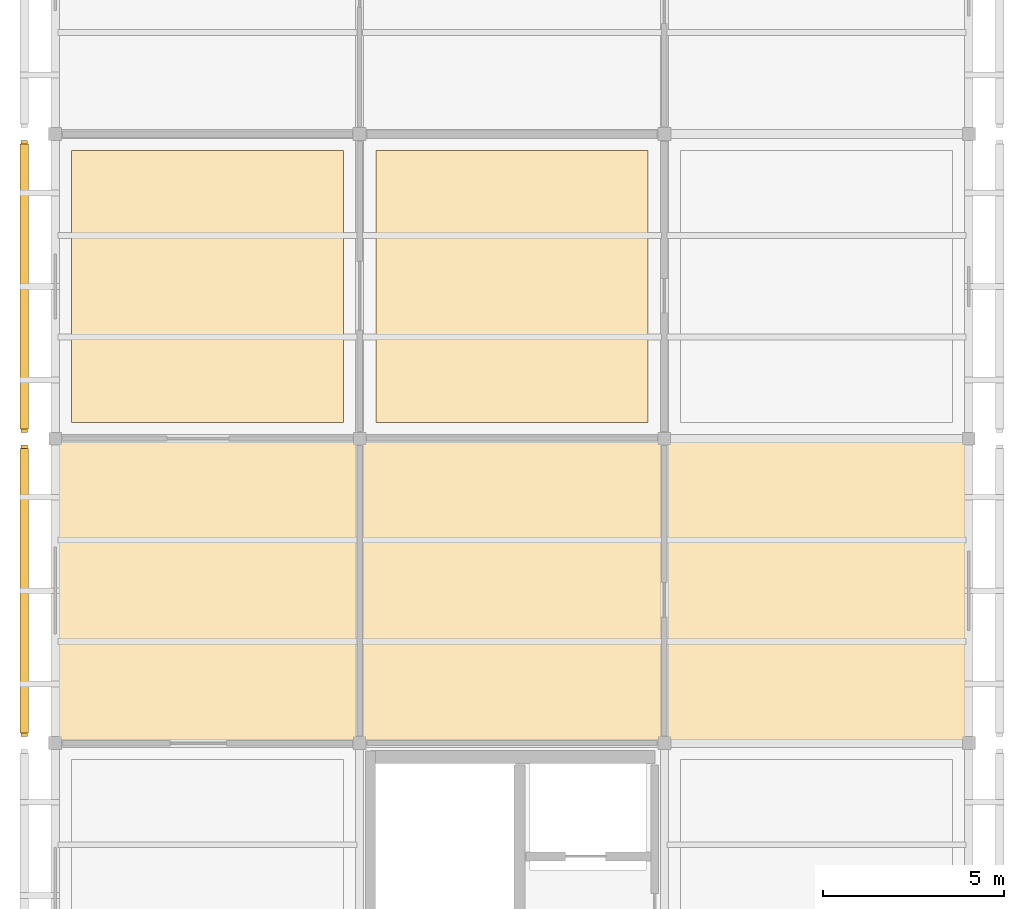
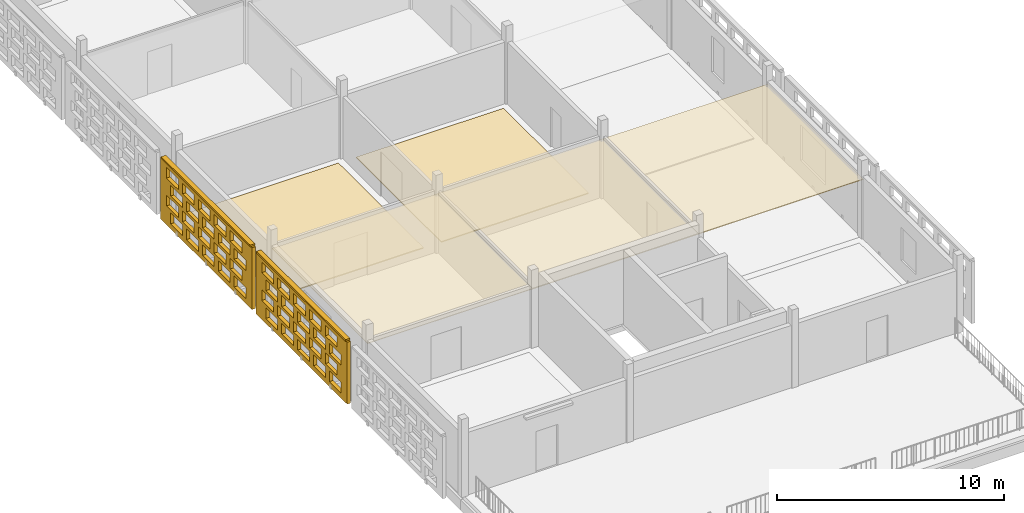
# One storey, part 7 of 13: 7 coverings, 2 shading devices, 40 openings.
"""IFC4 building model written with IfcOpenShell, lengths in metres."""

from ifc_helpers import new_model, si_unit, direction, frame, frame_2d, origin, origin_2d, place, context, subcontext, project, spatial, rectangle, extrude, material, layer, layer_set, type_object, element, save


model = new_model("IFC4")

# Units and contexts
model_context = context("Model", 3, precision=1e-05, world=origin(), true_north=direction((0.0, 1.0)))
body_context = subcontext(model_context, "Body", "Model", "MODEL_VIEW")
ifc_project = project(units=[si_unit("LENGTHUNIT", "METRE"), si_unit("AREAUNIT", "SQUARE_METRE"), si_unit("VOLUMEUNIT", "CUBIC_METRE"), si_unit("PLANEANGLEUNIT", "RADIAN"), si_unit("MASSUNIT", "GRAM", prefix="KILO")], contexts=[model_context])

# Site, building, storey
site_placement = place(None, origin())
site = spatial("IfcSite", under=ifc_project, at=site_placement, CompositionType="ELEMENT")
building_placement = place(site_placement, origin())
building = spatial("IfcBuilding", under=site, at=building_placement, Name="Varnapada Polytechnic", CompositionType="ELEMENT")
storey_placement = place(building_placement, frame((0.0, 0.0, 26.39990234375)))
storey = spatial("IfcBuildingStorey", under=building, at=storey_placement, Name="L06", CompositionType="ELEMENT", Elevation=26.39990234375)

# Coverings
ifc_material_1 = material(Name="End-Grain Timber Studio Block Flooring", Category="wood")
ifc_layer_1 = layer(ifc_material_1, 0.054931640625)
ifc_layer_set_1 = layer_set([ifc_layer_1], Name="End-Grain Timber Studio Block Flooring")
covering_type_1 = type_object("IfcCoveringType", Name="Floor Finish FLR-04", PredefinedType="FLOORING", material=ifc_layer_set_1)
for number, where, z_axis, x_axis, name in (
    (1, (4.199951171875, 79.800048828125, 0.0), (0.0, 0.0, 1.0), (1.0, 0.0, 0.0), "L06 floor finish panel (1,10)"),
    (2, (12.60009765625, 79.800048828125, 0.0), (0.0, 0.0, 1.0), (1.0, 0.0, 0.0), "L06 floor finish panel (2,10)"),
):
    element("IfcCovering", number, at=place(storey_placement, frame(where, z_axis=z_axis, x_axis=x_axis)), inside=storey, type_object=covering_type_1, Name=name, PredefinedType="FLOORING", context=body_context, shape_type="SweptSolid", body=[
        extrude(rectangle(XDim=7.5, YDim=7.5, at=origin_2d()), origin(), (0.0, 0.0, 1.0), 0.054931640625),
    ])
ifc_material_2 = material(Name="Mineral Fibre Acoustic Ceiling Tile")
ifc_layer_2 = layer(ifc_material_2, 0.0400390625)
ifc_layer_set_2 = layer_set([ifc_layer_2], Name="Mineral Fibre Acoustic Ceiling Tile")
covering_type_2 = type_object("IfcCoveringType", Name="Suspended Ceiling CLG-01", PredefinedType="CEILING", material=ifc_layer_set_2)
covering_1_placement = place(storey_placement, frame((21.0, 71.39990234375, 3.030029296875), z_axis=(0.0, 0.0, 1.0), x_axis=(1.0, 0.0, 0.0)))
element("IfcCovering", 3, at=covering_1_placement, inside=storey, type_object=covering_type_2, Name="L06 suspended acoustic ceiling (3,9)", PredefinedType="CEILING", context=body_context, shape_type="SweptSolid", body=[
    extrude(rectangle(XDim=8.419921875, YDim=8.419921875, at=origin_2d()), origin(), (0.0, 0.0, 1.0), 0.0400390625),
])
ifc_material_3 = material(Name="Perforated Timber Slatted Baffle Ceiling", Category="wood")
ifc_layer_3 = layer(ifc_material_3, 0.050048828125)
ifc_layer_set_3 = layer_set([ifc_layer_3], Name="Perforated Timber Slatted Baffle Ceiling")
covering_type_3 = type_object("IfcCoveringType", Name="Suspended Ceiling CLG-02", PredefinedType="CEILING", material=ifc_layer_set_3)
covering_2_placement = place(storey_placement, frame((12.60009765625, 71.39990234375, 3.02490234375), z_axis=(0.0, 0.0, 1.0), x_axis=(1.0, 0.0, 0.0)))
element("IfcCovering", 4, at=covering_2_placement, inside=storey, type_object=covering_type_3, Name="L06 suspended acoustic ceiling (2,9)", PredefinedType="CEILING", context=body_context, shape_type="SweptSolid", body=[
    extrude(rectangle(XDim=8.419921875, YDim=8.419921875, at=origin_2d()), origin(), (0.0, 0.0, 1.0), 0.050048828125),
])
ifc_material_4 = material(Name="Moisture-Resistant Aluminum Baffle Ceiling", Category="aluminium")
ifc_layer_4 = layer(ifc_material_4, 0.030029296875)
ifc_layer_set_4 = layer_set([ifc_layer_4], Name="Moisture-Resistant Aluminum Baffle Ceiling")
covering_type_4 = type_object("IfcCoveringType", Name="Suspended Ceiling CLG-03", PredefinedType="CEILING", material=ifc_layer_set_4)
covering_3_placement = place(storey_placement, frame((4.199951171875, 71.39990234375, 3.03515625), z_axis=(0.0, 0.0, 1.0), x_axis=(1.0, 0.0, 0.0)))
element("IfcCovering", 5, at=covering_3_placement, inside=storey, type_object=covering_type_4, Name="L06 suspended acoustic ceiling (1,9)", PredefinedType="CEILING", context=body_context, shape_type="SweptSolid", body=[
    extrude(rectangle(XDim=8.419921875, YDim=8.419921875, at=origin_2d()), origin(), (0.0, 0.0, 1.0), 0.030029296875),
])

# Covering, openings
ifc_material_5 = material(Name="Earth-toned architectural terracotta screen block", Category="masonry")
ifc_layer_5 = layer(ifc_material_5, 0.1201171875)
ifc_layer_set_5 = layer_set([ifc_layer_5], Name="Earth-toned architectural terracotta screen block")
covering_type_5 = type_object("IfcCoveringType", Name="Terracotta Screen Cladding CLD-01", PredefinedType="CLADDING", material=ifc_layer_set_5)
covering_4_placement = place(storey_placement, frame((-0.85009765625, 67.3798828125, 0.0), z_axis=(0.0, 0.0, 1.0), x_axis=(0.0, 1.0, 0.0)))
covering_4 = element("IfcCovering", 6, at=covering_4_placement, inside=storey, type_object=covering_type_5, Name="L06 perforated terracotta block screen (3)", PredefinedType="CLADDING", context=body_context, shape_type="SweptSolid", body=[
    extrude(rectangle(XDim=8.050048828125, YDim=0.179931640625, at=frame_2d((4.02490234375, 0.0))), origin(), (0.0, 0.0, 1.0), 3.320068359375),
])
opening_1_placement = place(covering_4_placement, frame((0.52490234375, 0.0, 0.265625)))
element("IfcOpeningElement", 7, at=opening_1_placement, cuts=covering_4, Name="Screen perforation TBS-L06-002.1", PredefinedType="OPENING", context=body_context, shape_type="SweptSolid", body=[
    extrude(rectangle(XDim=1.0400390625, YDim=0.5810546875, at=frame_2d((0.52001953125, 0.29052734375))), frame((0.0, 0.099853515625, 0.0), z_axis=(0.0, -1.0, 0.0), x_axis=(1.0, 0.0, 0.0)), (0.0, 0.0, 1.0), 0.199951171875),
])
opening_2_placement = place(covering_4_placement, frame((1.925048828125, 0.0, 0.265625)))
element("IfcOpeningElement", 8, at=opening_2_placement, cuts=covering_4, Name="Screen perforation TBS-L06-002.2", PredefinedType="OPENING", context=body_context, shape_type="SweptSolid", body=[
    extrude(rectangle(XDim=1.0400390625, YDim=0.5810546875, at=frame_2d((0.52001953125, 0.29052734375))), frame((0.0, 0.099853515625, 0.0), z_axis=(0.0, -1.0, 0.0), x_axis=(1.0, 0.0, 0.0)), (0.0, 0.0, 1.0), 0.199951171875),
])
opening_3_placement = place(covering_4_placement, frame((3.324951171875, 0.0, 0.265625)))
element("IfcOpeningElement", 9, at=opening_3_placement, cuts=covering_4, Name="Screen perforation TBS-L06-002.3", PredefinedType="OPENING", context=body_context, shape_type="SweptSolid", body=[
    extrude(rectangle(XDim=1.0400390625, YDim=0.5810546875, at=frame_2d((0.52001953125, 0.29052734375))), frame((0.0, 0.099853515625, 0.0), z_axis=(0.0, -1.0, 0.0), x_axis=(1.0, 0.0, 0.0)), (0.0, 0.0, 1.0), 0.199951171875),
])
opening_4_placement = place(covering_4_placement, frame((4.72509765625, 0.0, 0.265625)))
element("IfcOpeningElement", 10, at=opening_4_placement, cuts=covering_4, Name="Screen perforation TBS-L06-002.4", PredefinedType="OPENING", context=body_context, shape_type="SweptSolid", body=[
    extrude(rectangle(XDim=1.0400390625, YDim=0.5810546875, at=frame_2d((0.52001953125, 0.29052734375))), frame((0.0, 0.099853515625, 0.0), z_axis=(0.0, -1.0, 0.0), x_axis=(1.0, 0.0, 0.0)), (0.0, 0.0, 1.0), 0.199951171875),
])
opening_5_placement = place(covering_4_placement, frame((6.125, 0.0, 0.265625)))
element("IfcOpeningElement", 11, at=opening_5_placement, cuts=covering_4, Name="Screen perforation TBS-L06-002.5", PredefinedType="OPENING", context=body_context, shape_type="SweptSolid", body=[
    extrude(rectangle(XDim=1.0400390625, YDim=0.5810546875, at=frame_2d((0.52001953125, 0.29052734375))), frame((0.0, 0.099853515625, 0.0), z_axis=(0.0, -1.0, 0.0), x_axis=(1.0, 0.0, 0.0)), (0.0, 0.0, 1.0), 0.199951171875),
])
opening_6_placement = place(covering_4_placement, frame((0.885009765625, 0.0, 1.0126953125)))
element("IfcOpeningElement", 12, at=opening_6_placement, cuts=covering_4, Name="Screen perforation TBS-L06-002.6", PredefinedType="OPENING", context=body_context, shape_type="SweptSolid", body=[
    extrude(rectangle(XDim=1.0400390625, YDim=0.5810546875, at=frame_2d((0.52001953125, 0.29052734375))), frame((0.0, 0.099853515625, 0.0), z_axis=(0.0, -1.0, 0.0), x_axis=(1.0, 0.0, 0.0)), (0.0, 0.0, 1.0), 0.199951171875),
])
opening_7_placement = place(covering_4_placement, frame((2.284912109375, 0.0, 1.0126953125)))
element("IfcOpeningElement", 13, at=opening_7_placement, cuts=covering_4, Name="Screen perforation TBS-L06-002.7", PredefinedType="OPENING", context=body_context, shape_type="SweptSolid", body=[
    extrude(rectangle(XDim=1.0400390625, YDim=0.5810546875, at=frame_2d((0.52001953125, 0.29052734375))), frame((0.0, 0.099853515625, 0.0), z_axis=(0.0, -1.0, 0.0), x_axis=(1.0, 0.0, 0.0)), (0.0, 0.0, 1.0), 0.199951171875),
])
opening_8_placement = place(covering_4_placement, frame((3.68505859375, 0.0, 1.0126953125)))
element("IfcOpeningElement", 14, at=opening_8_placement, cuts=covering_4, Name="Screen perforation TBS-L06-002.8", PredefinedType="OPENING", context=body_context, shape_type="SweptSolid", body=[
    extrude(rectangle(XDim=1.0400390625, YDim=0.5810546875, at=frame_2d((0.52001953125, 0.29052734375))), frame((0.0, 0.099853515625, 0.0), z_axis=(0.0, -1.0, 0.0), x_axis=(1.0, 0.0, 0.0)), (0.0, 0.0, 1.0), 0.199951171875),
])
opening_9_placement = place(covering_4_placement, frame((5.0849609375, 0.0, 1.0126953125)))
element("IfcOpeningElement", 15, at=opening_9_placement, cuts=covering_4, Name="Screen perforation TBS-L06-002.9", PredefinedType="OPENING", context=body_context, shape_type="SweptSolid", body=[
    extrude(rectangle(XDim=1.0400390625, YDim=0.5810546875, at=frame_2d((0.52001953125, 0.29052734375))), frame((0.0, 0.099853515625, 0.0), z_axis=(0.0, -1.0, 0.0), x_axis=(1.0, 0.0, 0.0)), (0.0, 0.0, 1.0), 0.199951171875),
])
opening_10_placement = place(covering_4_placement, frame((6.485107421875, 0.0, 1.0126953125)))
element("IfcOpeningElement", 16, at=opening_10_placement, cuts=covering_4, Name="Screen perforation TBS-L06-002.10", PredefinedType="OPENING", context=body_context, shape_type="SweptSolid", body=[
    extrude(rectangle(XDim=1.0400390625, YDim=0.5810546875, at=frame_2d((0.52001953125, 0.29052734375))), frame((0.0, 0.099853515625, 0.0), z_axis=(0.0, -1.0, 0.0), x_axis=(1.0, 0.0, 0.0)), (0.0, 0.0, 1.0), 0.199951171875),
])
opening_11_placement = place(covering_4_placement, frame((0.52490234375, 0.0, 1.759521484375)))
element("IfcOpeningElement", 17, at=opening_11_placement, cuts=covering_4, Name="Screen perforation TBS-L06-002.11", PredefinedType="OPENING", context=body_context, shape_type="SweptSolid", body=[
    extrude(rectangle(XDim=1.0400390625, YDim=0.5810546875, at=frame_2d((0.52001953125, 0.29052734375))), frame((0.0, 0.099853515625, 0.0), z_axis=(0.0, -1.0, 0.0), x_axis=(1.0, 0.0, 0.0)), (0.0, 0.0, 1.0), 0.199951171875),
])
opening_12_placement = place(covering_4_placement, frame((1.925048828125, 0.0, 1.759521484375)))
element("IfcOpeningElement", 18, at=opening_12_placement, cuts=covering_4, Name="Screen perforation TBS-L06-002.12", PredefinedType="OPENING", context=body_context, shape_type="SweptSolid", body=[
    extrude(rectangle(XDim=1.0400390625, YDim=0.5810546875, at=frame_2d((0.52001953125, 0.29052734375))), frame((0.0, 0.099853515625, 0.0), z_axis=(0.0, -1.0, 0.0), x_axis=(1.0, 0.0, 0.0)), (0.0, 0.0, 1.0), 0.199951171875),
])
opening_13_placement = place(covering_4_placement, frame((3.324951171875, 0.0, 1.759521484375)))
element("IfcOpeningElement", 19, at=opening_13_placement, cuts=covering_4, Name="Screen perforation TBS-L06-002.13", PredefinedType="OPENING", context=body_context, shape_type="SweptSolid", body=[
    extrude(rectangle(XDim=1.0400390625, YDim=0.5810546875, at=frame_2d((0.52001953125, 0.29052734375))), frame((0.0, 0.099853515625, 0.0), z_axis=(0.0, -1.0, 0.0), x_axis=(1.0, 0.0, 0.0)), (0.0, 0.0, 1.0), 0.199951171875),
])
opening_14_placement = place(covering_4_placement, frame((4.72509765625, 0.0, 1.759521484375)))
element("IfcOpeningElement", 20, at=opening_14_placement, cuts=covering_4, Name="Screen perforation TBS-L06-002.14", PredefinedType="OPENING", context=body_context, shape_type="SweptSolid", body=[
    extrude(rectangle(XDim=1.0400390625, YDim=0.5810546875, at=frame_2d((0.52001953125, 0.29052734375))), frame((0.0, 0.099853515625, 0.0), z_axis=(0.0, -1.0, 0.0), x_axis=(1.0, 0.0, 0.0)), (0.0, 0.0, 1.0), 0.199951171875),
])
opening_15_placement = place(covering_4_placement, frame((6.125, 0.0, 1.759521484375)))
element("IfcOpeningElement", 21, at=opening_15_placement, cuts=covering_4, Name="Screen perforation TBS-L06-002.15", PredefinedType="OPENING", context=body_context, shape_type="SweptSolid", body=[
    extrude(rectangle(XDim=1.0400390625, YDim=0.5810546875, at=frame_2d((0.52001953125, 0.29052734375))), frame((0.0, 0.099853515625, 0.0), z_axis=(0.0, -1.0, 0.0), x_axis=(1.0, 0.0, 0.0)), (0.0, 0.0, 1.0), 0.199951171875),
])
opening_16_placement = place(covering_4_placement, frame((0.885009765625, 0.0, 2.506591796875)))
element("IfcOpeningElement", 22, at=opening_16_placement, cuts=covering_4, Name="Screen perforation TBS-L06-002.16", PredefinedType="OPENING", context=body_context, shape_type="SweptSolid", body=[
    extrude(rectangle(XDim=1.0400390625, YDim=0.5810546875, at=frame_2d((0.52001953125, 0.29052734375))), frame((0.0, 0.099853515625, 0.0), z_axis=(0.0, -1.0, 0.0), x_axis=(1.0, 0.0, 0.0)), (0.0, 0.0, 1.0), 0.199951171875),
])
opening_17_placement = place(covering_4_placement, frame((2.284912109375, 0.0, 2.506591796875)))
element("IfcOpeningElement", 23, at=opening_17_placement, cuts=covering_4, Name="Screen perforation TBS-L06-002.17", PredefinedType="OPENING", context=body_context, shape_type="SweptSolid", body=[
    extrude(rectangle(XDim=1.0400390625, YDim=0.5810546875, at=frame_2d((0.52001953125, 0.29052734375))), frame((0.0, 0.099853515625, 0.0), z_axis=(0.0, -1.0, 0.0), x_axis=(1.0, 0.0, 0.0)), (0.0, 0.0, 1.0), 0.199951171875),
])
opening_18_placement = place(covering_4_placement, frame((3.68505859375, 0.0, 2.506591796875)))
element("IfcOpeningElement", 24, at=opening_18_placement, cuts=covering_4, Name="Screen perforation TBS-L06-002.18", PredefinedType="OPENING", context=body_context, shape_type="SweptSolid", body=[
    extrude(rectangle(XDim=1.0400390625, YDim=0.5810546875, at=frame_2d((0.52001953125, 0.29052734375))), frame((0.0, 0.099853515625, 0.0), z_axis=(0.0, -1.0, 0.0), x_axis=(1.0, 0.0, 0.0)), (0.0, 0.0, 1.0), 0.199951171875),
])
opening_19_placement = place(covering_4_placement, frame((5.0849609375, 0.0, 2.506591796875)))
element("IfcOpeningElement", 25, at=opening_19_placement, cuts=covering_4, Name="Screen perforation TBS-L06-002.19", PredefinedType="OPENING", context=body_context, shape_type="SweptSolid", body=[
    extrude(rectangle(XDim=1.0400390625, YDim=0.5810546875, at=frame_2d((0.52001953125, 0.29052734375))), frame((0.0, 0.099853515625, 0.0), z_axis=(0.0, -1.0, 0.0), x_axis=(1.0, 0.0, 0.0)), (0.0, 0.0, 1.0), 0.199951171875),
])
opening_20_placement = place(covering_4_placement, frame((6.485107421875, 0.0, 2.506591796875)))
element("IfcOpeningElement", 26, at=opening_20_placement, cuts=covering_4, Name="Screen perforation TBS-L06-002.20", PredefinedType="OPENING", context=body_context, shape_type="SweptSolid", body=[
    extrude(rectangle(XDim=1.0400390625, YDim=0.5810546875, at=frame_2d((0.52001953125, 0.29052734375))), frame((0.0, 0.099853515625, 0.0), z_axis=(0.0, -1.0, 0.0), x_axis=(1.0, 0.0, 0.0)), (0.0, 0.0, 1.0), 0.199951171875),
])

covering_5_placement = place(storey_placement, frame((-0.85009765625, 75.77001953125, 0.0), z_axis=(0.0, 0.0, 1.0), x_axis=(0.0, 1.0, 0.0)))
covering_5 = element("IfcCovering", 27, at=covering_5_placement, inside=storey, type_object=covering_type_5, Name="L06 perforated terracotta block screen (4)", PredefinedType="CLADDING", context=body_context, shape_type="SweptSolid", body=[
    extrude(rectangle(XDim=8.050048828125, YDim=0.179931640625, at=frame_2d((4.02490234375, 0.0))), origin(), (0.0, 0.0, 1.0), 3.320068359375),
])
opening_21_placement = place(covering_5_placement, frame((0.52490234375, 0.0, 0.265625)))
element("IfcOpeningElement", 28, at=opening_21_placement, cuts=covering_5, Name="Screen perforation TBS-L06-003.1", PredefinedType="OPENING", context=body_context, shape_type="SweptSolid", body=[
    extrude(rectangle(XDim=1.0400390625, YDim=0.5810546875, at=frame_2d((0.52001953125, 0.29052734375))), frame((0.0, 0.099853515625, 0.0), z_axis=(0.0, -1.0, 0.0), x_axis=(1.0, 0.0, 0.0)), (0.0, 0.0, 1.0), 0.199951171875),
])
opening_22_placement = place(covering_5_placement, frame((1.925048828125, 0.0, 0.265625)))
element("IfcOpeningElement", 29, at=opening_22_placement, cuts=covering_5, Name="Screen perforation TBS-L06-003.2", PredefinedType="OPENING", context=body_context, shape_type="SweptSolid", body=[
    extrude(rectangle(XDim=1.0400390625, YDim=0.5810546875, at=frame_2d((0.52001953125, 0.29052734375))), frame((0.0, 0.099853515625, 0.0), z_axis=(0.0, -1.0, 0.0), x_axis=(1.0, 0.0, 0.0)), (0.0, 0.0, 1.0), 0.199951171875),
])
opening_23_placement = place(covering_5_placement, frame((3.324951171875, 0.0, 0.265625)))
element("IfcOpeningElement", 30, at=opening_23_placement, cuts=covering_5, Name="Screen perforation TBS-L06-003.3", PredefinedType="OPENING", context=body_context, shape_type="SweptSolid", body=[
    extrude(rectangle(XDim=1.0400390625, YDim=0.5810546875, at=frame_2d((0.52001953125, 0.29052734375))), frame((0.0, 0.099853515625, 0.0), z_axis=(0.0, -1.0, 0.0), x_axis=(1.0, 0.0, 0.0)), (0.0, 0.0, 1.0), 0.199951171875),
])
opening_24_placement = place(covering_5_placement, frame((4.72509765625, 0.0, 0.265625)))
element("IfcOpeningElement", 31, at=opening_24_placement, cuts=covering_5, Name="Screen perforation TBS-L06-003.4", PredefinedType="OPENING", context=body_context, shape_type="SweptSolid", body=[
    extrude(rectangle(XDim=1.0400390625, YDim=0.5810546875, at=frame_2d((0.52001953125, 0.29052734375))), frame((0.0, 0.099853515625, 0.0), z_axis=(0.0, -1.0, 0.0), x_axis=(1.0, 0.0, 0.0)), (0.0, 0.0, 1.0), 0.199951171875),
])
opening_25_placement = place(covering_5_placement, frame((6.125, 0.0, 0.265625)))
element("IfcOpeningElement", 32, at=opening_25_placement, cuts=covering_5, Name="Screen perforation TBS-L06-003.5", PredefinedType="OPENING", context=body_context, shape_type="SweptSolid", body=[
    extrude(rectangle(XDim=1.0400390625, YDim=0.5810546875, at=frame_2d((0.52001953125, 0.29052734375))), frame((0.0, 0.099853515625, 0.0), z_axis=(0.0, -1.0, 0.0), x_axis=(1.0, 0.0, 0.0)), (0.0, 0.0, 1.0), 0.199951171875),
])
opening_26_placement = place(covering_5_placement, frame((0.885009765625, 0.0, 1.0126953125)))
element("IfcOpeningElement", 33, at=opening_26_placement, cuts=covering_5, Name="Screen perforation TBS-L06-003.6", PredefinedType="OPENING", context=body_context, shape_type="SweptSolid", body=[
    extrude(rectangle(XDim=1.0400390625, YDim=0.5810546875, at=frame_2d((0.52001953125, 0.29052734375))), frame((0.0, 0.099853515625, 0.0), z_axis=(0.0, -1.0, 0.0), x_axis=(1.0, 0.0, 0.0)), (0.0, 0.0, 1.0), 0.199951171875),
])
opening_27_placement = place(covering_5_placement, frame((2.284912109375, 0.0, 1.0126953125)))
element("IfcOpeningElement", 34, at=opening_27_placement, cuts=covering_5, Name="Screen perforation TBS-L06-003.7", PredefinedType="OPENING", context=body_context, shape_type="SweptSolid", body=[
    extrude(rectangle(XDim=1.0400390625, YDim=0.5810546875, at=frame_2d((0.52001953125, 0.29052734375))), frame((0.0, 0.099853515625, 0.0), z_axis=(0.0, -1.0, 0.0), x_axis=(1.0, 0.0, 0.0)), (0.0, 0.0, 1.0), 0.199951171875),
])
opening_28_placement = place(covering_5_placement, frame((3.68505859375, 0.0, 1.0126953125)))
element("IfcOpeningElement", 35, at=opening_28_placement, cuts=covering_5, Name="Screen perforation TBS-L06-003.8", PredefinedType="OPENING", context=body_context, shape_type="SweptSolid", body=[
    extrude(rectangle(XDim=1.0400390625, YDim=0.5810546875, at=frame_2d((0.52001953125, 0.29052734375))), frame((0.0, 0.099853515625, 0.0), z_axis=(0.0, -1.0, 0.0), x_axis=(1.0, 0.0, 0.0)), (0.0, 0.0, 1.0), 0.199951171875),
])
opening_29_placement = place(covering_5_placement, frame((5.0849609375, 0.0, 1.0126953125)))
element("IfcOpeningElement", 36, at=opening_29_placement, cuts=covering_5, Name="Screen perforation TBS-L06-003.9", PredefinedType="OPENING", context=body_context, shape_type="SweptSolid", body=[
    extrude(rectangle(XDim=1.0400390625, YDim=0.5810546875, at=frame_2d((0.52001953125, 0.29052734375))), frame((0.0, 0.099853515625, 0.0), z_axis=(0.0, -1.0, 0.0), x_axis=(1.0, 0.0, 0.0)), (0.0, 0.0, 1.0), 0.199951171875),
])
opening_30_placement = place(covering_5_placement, frame((6.485107421875, 0.0, 1.0126953125)))
element("IfcOpeningElement", 37, at=opening_30_placement, cuts=covering_5, Name="Screen perforation TBS-L06-003.10", PredefinedType="OPENING", context=body_context, shape_type="SweptSolid", body=[
    extrude(rectangle(XDim=1.0400390625, YDim=0.5810546875, at=frame_2d((0.52001953125, 0.29052734375))), frame((0.0, 0.099853515625, 0.0), z_axis=(0.0, -1.0, 0.0), x_axis=(1.0, 0.0, 0.0)), (0.0, 0.0, 1.0), 0.199951171875),
])
opening_31_placement = place(covering_5_placement, frame((0.52490234375, 0.0, 1.759521484375)))
element("IfcOpeningElement", 38, at=opening_31_placement, cuts=covering_5, Name="Screen perforation TBS-L06-003.11", PredefinedType="OPENING", context=body_context, shape_type="SweptSolid", body=[
    extrude(rectangle(XDim=1.0400390625, YDim=0.5810546875, at=frame_2d((0.52001953125, 0.29052734375))), frame((0.0, 0.099853515625, 0.0), z_axis=(0.0, -1.0, 0.0), x_axis=(1.0, 0.0, 0.0)), (0.0, 0.0, 1.0), 0.199951171875),
])
opening_32_placement = place(covering_5_placement, frame((1.925048828125, 0.0, 1.759521484375)))
element("IfcOpeningElement", 39, at=opening_32_placement, cuts=covering_5, Name="Screen perforation TBS-L06-003.12", PredefinedType="OPENING", context=body_context, shape_type="SweptSolid", body=[
    extrude(rectangle(XDim=1.0400390625, YDim=0.5810546875, at=frame_2d((0.52001953125, 0.29052734375))), frame((0.0, 0.099853515625, 0.0), z_axis=(0.0, -1.0, 0.0), x_axis=(1.0, 0.0, 0.0)), (0.0, 0.0, 1.0), 0.199951171875),
])
opening_33_placement = place(covering_5_placement, frame((3.324951171875, 0.0, 1.759521484375)))
element("IfcOpeningElement", 40, at=opening_33_placement, cuts=covering_5, Name="Screen perforation TBS-L06-003.13", PredefinedType="OPENING", context=body_context, shape_type="SweptSolid", body=[
    extrude(rectangle(XDim=1.0400390625, YDim=0.5810546875, at=frame_2d((0.52001953125, 0.29052734375))), frame((0.0, 0.099853515625, 0.0), z_axis=(0.0, -1.0, 0.0), x_axis=(1.0, 0.0, 0.0)), (0.0, 0.0, 1.0), 0.199951171875),
])
opening_34_placement = place(covering_5_placement, frame((4.72509765625, 0.0, 1.759521484375)))
element("IfcOpeningElement", 41, at=opening_34_placement, cuts=covering_5, Name="Screen perforation TBS-L06-003.14", PredefinedType="OPENING", context=body_context, shape_type="SweptSolid", body=[
    extrude(rectangle(XDim=1.0400390625, YDim=0.5810546875, at=frame_2d((0.52001953125, 0.29052734375))), frame((0.0, 0.099853515625, 0.0), z_axis=(0.0, -1.0, 0.0), x_axis=(1.0, 0.0, 0.0)), (0.0, 0.0, 1.0), 0.199951171875),
])
opening_35_placement = place(covering_5_placement, frame((6.125, 0.0, 1.759521484375)))
element("IfcOpeningElement", 42, at=opening_35_placement, cuts=covering_5, Name="Screen perforation TBS-L06-003.15", PredefinedType="OPENING", context=body_context, shape_type="SweptSolid", body=[
    extrude(rectangle(XDim=1.0400390625, YDim=0.5810546875, at=frame_2d((0.52001953125, 0.29052734375))), frame((0.0, 0.099853515625, 0.0), z_axis=(0.0, -1.0, 0.0), x_axis=(1.0, 0.0, 0.0)), (0.0, 0.0, 1.0), 0.199951171875),
])
opening_36_placement = place(covering_5_placement, frame((0.885009765625, 0.0, 2.506591796875)))
element("IfcOpeningElement", 43, at=opening_36_placement, cuts=covering_5, Name="Screen perforation TBS-L06-003.16", PredefinedType="OPENING", context=body_context, shape_type="SweptSolid", body=[
    extrude(rectangle(XDim=1.0400390625, YDim=0.5810546875, at=frame_2d((0.52001953125, 0.29052734375))), frame((0.0, 0.099853515625, 0.0), z_axis=(0.0, -1.0, 0.0), x_axis=(1.0, 0.0, 0.0)), (0.0, 0.0, 1.0), 0.199951171875),
])
opening_37_placement = place(covering_5_placement, frame((2.284912109375, 0.0, 2.506591796875)))
element("IfcOpeningElement", 44, at=opening_37_placement, cuts=covering_5, Name="Screen perforation TBS-L06-003.17", PredefinedType="OPENING", context=body_context, shape_type="SweptSolid", body=[
    extrude(rectangle(XDim=1.0400390625, YDim=0.5810546875, at=frame_2d((0.52001953125, 0.29052734375))), frame((0.0, 0.099853515625, 0.0), z_axis=(0.0, -1.0, 0.0), x_axis=(1.0, 0.0, 0.0)), (0.0, 0.0, 1.0), 0.199951171875),
])
opening_38_placement = place(covering_5_placement, frame((3.68505859375, 0.0, 2.506591796875)))
element("IfcOpeningElement", 45, at=opening_38_placement, cuts=covering_5, Name="Screen perforation TBS-L06-003.18", PredefinedType="OPENING", context=body_context, shape_type="SweptSolid", body=[
    extrude(rectangle(XDim=1.0400390625, YDim=0.5810546875, at=frame_2d((0.52001953125, 0.29052734375))), frame((0.0, 0.099853515625, 0.0), z_axis=(0.0, -1.0, 0.0), x_axis=(1.0, 0.0, 0.0)), (0.0, 0.0, 1.0), 0.199951171875),
])
opening_39_placement = place(covering_5_placement, frame((5.0849609375, 0.0, 2.506591796875)))
element("IfcOpeningElement", 46, at=opening_39_placement, cuts=covering_5, Name="Screen perforation TBS-L06-003.19", PredefinedType="OPENING", context=body_context, shape_type="SweptSolid", body=[
    extrude(rectangle(XDim=1.0400390625, YDim=0.5810546875, at=frame_2d((0.52001953125, 0.29052734375))), frame((0.0, 0.099853515625, 0.0), z_axis=(0.0, -1.0, 0.0), x_axis=(1.0, 0.0, 0.0)), (0.0, 0.0, 1.0), 0.199951171875),
])
opening_40_placement = place(covering_5_placement, frame((6.485107421875, 0.0, 2.506591796875)))
element("IfcOpeningElement", 47, at=opening_40_placement, cuts=covering_5, Name="Screen perforation TBS-L06-003.20", PredefinedType="OPENING", context=body_context, shape_type="SweptSolid", body=[
    extrude(rectangle(XDim=1.0400390625, YDim=0.5810546875, at=frame_2d((0.52001953125, 0.29052734375))), frame((0.0, 0.099853515625, 0.0), z_axis=(0.0, -1.0, 0.0), x_axis=(1.0, 0.0, 0.0)), (0.0, 0.0, 1.0), 0.199951171875),
])

# Shading devices
ifc_layer_6 = layer(ifc_material_5, 0.179931640625)
ifc_layer_set_6 = layer_set([ifc_layer_6], Name="Earth-toned architectural terracotta screen block")
shading_device_type = type_object("IfcShadingDeviceType", Name="Terracotta Screen SCR-01", PredefinedType="USERDEFINED", material=ifc_layer_set_6)
for number, where, z_axis, x_axis, name in (
    (48, (-0.85009765625, 71.405029296875, 3.31005859375), (0.0, 0.0, 1.0), (0.0, 1.0, 0.0), "L06 perforated terracotta screen hood 494"),
    (49, (-0.85009765625, 79.794921875, 3.31005859375), (0.0, 0.0, 1.0), (0.0, 1.0, 0.0), "L06 perforated terracotta screen hood 495"),
):
    element("IfcShadingDevice", number, at=place(storey_placement, frame(where, z_axis=z_axis, x_axis=x_axis)), inside=storey, type_object=shading_device_type, Name=name, ObjectType="SCREEN", PredefinedType="USERDEFINED", context=body_context, shape_type="SweptSolid", body=[
        extrude(rectangle(XDim=7.85009765625, YDim=0.239990234375, at=origin_2d()), origin(), (0.0, 0.0, 1.0), 0.10009765625),
    ])

save(model, "model.ifc")
